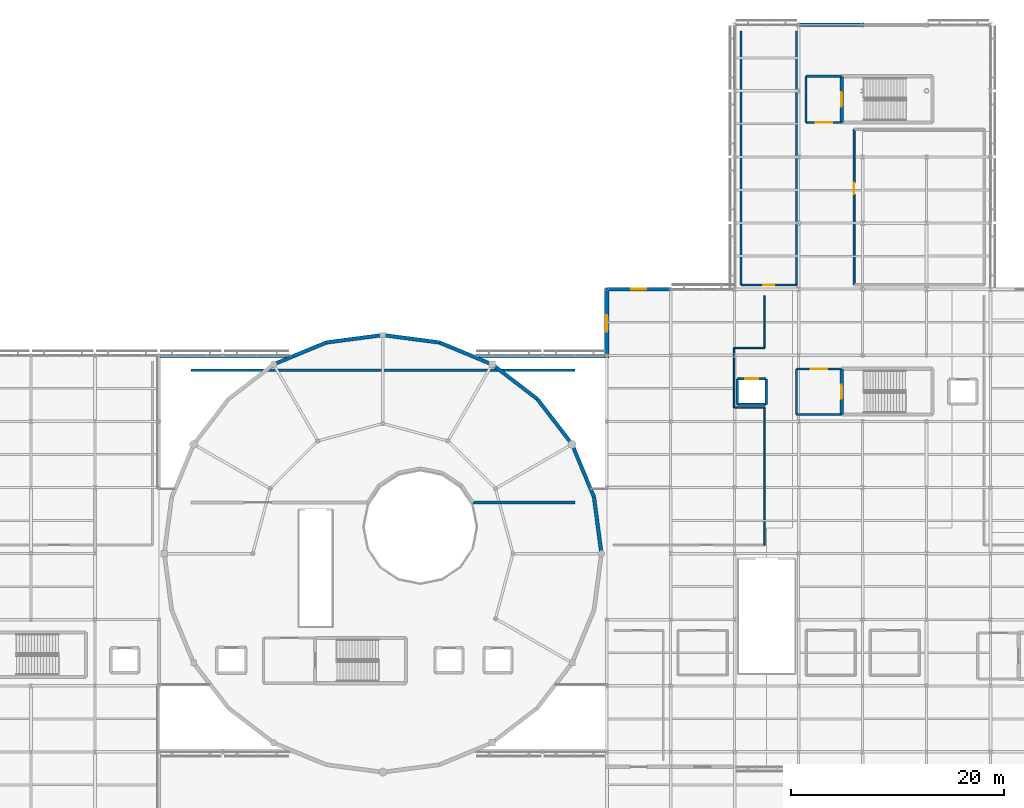
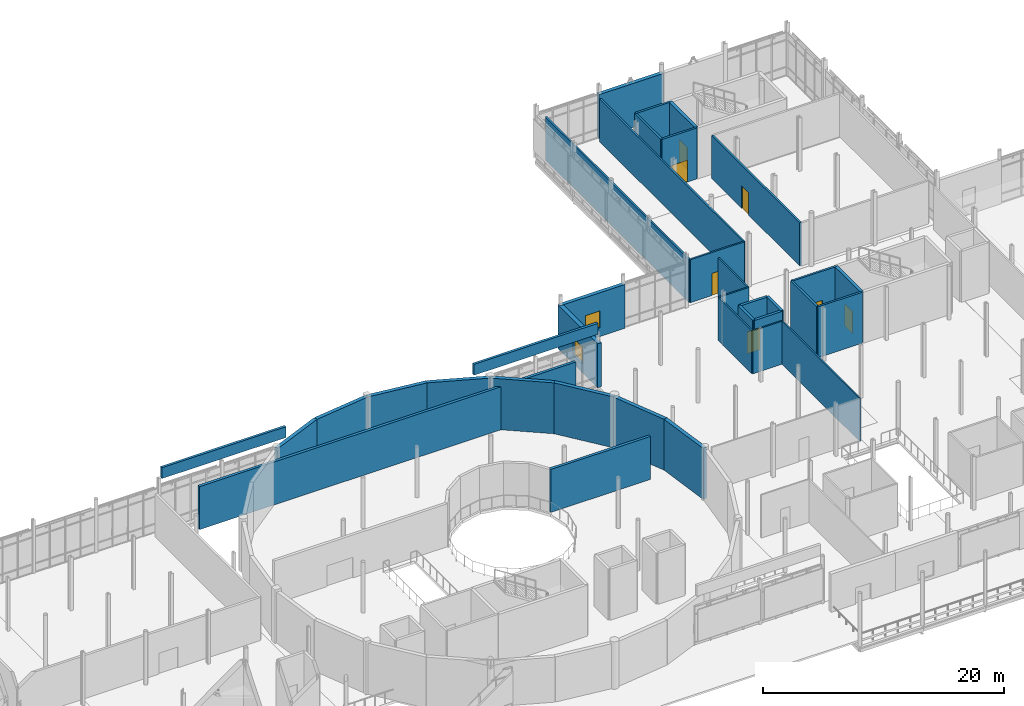
# One storey, part 70 of 105: 36 walls, 7 doors, 2 windows, 9 openings.
"""IFC4 building model written with IfcOpenShell, lengths in metres."""

from ifc_helpers import new_model, si_unit, direction, frame, frame_2d, origin, place, context, subcontext, project, spatial, rectangle, extrude, material, layer, layer_set, type_object, element, fill, save


model = new_model("IFC4")

# Units and contexts
model_context = context("Model", 3, precision=1e-05, world=origin(), true_north=direction((0.0, 1.0)))
body_context = subcontext(model_context, "Body", "Model", "MODEL_VIEW")
ifc_project = project(units=[si_unit("LENGTHUNIT", "METRE"), si_unit("AREAUNIT", "SQUARE_METRE"), si_unit("VOLUMEUNIT", "CUBIC_METRE"), si_unit("PLANEANGLEUNIT", "RADIAN"), si_unit("MASSUNIT", "GRAM", prefix="KILO")], contexts=[model_context])

# Site, building, storey
site_placement = place(None, origin())
site = spatial("IfcSite", under=ifc_project, at=site_placement, CompositionType="ELEMENT")
building_placement = place(site_placement, origin())
building = spatial("IfcBuilding", under=site, at=building_placement, Name="Mirzam Square Science Centre", CompositionType="ELEMENT")
storey_placement = place(building_placement, frame((0.0, 0.0, 5.39990234375)))
storey = spatial("IfcBuildingStorey", under=building, at=storey_placement, Name="L01", CompositionType="ELEMENT", Elevation=5.39990234375)

# Wall, opening, door
ifc_material_1 = material(Name="Concrete C45/55", Category="concrete")
ifc_layer_1 = layer(ifc_material_1, 0.300048828125)
ifc_layer_set_1 = layer_set([ifc_layer_1], Name="W-CORE-300")
wall_type_1 = type_object("IfcWallType", Name="W-CORE-300", PredefinedType="SHEAR", material=ifc_layer_set_1)
wall_1_placement = place(storey_placement, frame((124.0400390625, 79.330078125, 0.0), z_axis=(0.0, 0.0, 1.0), x_axis=(0.0, -1.0, 0.0)))
wall_1 = element("IfcWall", 1, at=wall_1_placement, inside=storey, type_object=wall_type_1, Name="L01 CORE-4 west wall", PredefinedType="SHEAR", context=body_context, shape_type="SweptSolid", body=[
    extrude(rectangle(XDim=4.2900390625, YDim=0.300048828125, at=frame_2d((2.14501953125, 0.0))), origin(), (0.0, 0.0, 1.0), 5.150146484375),
])
opening_1_placement = place(wall_1_placement, frame((1.469970703125, 0.0, 0.0)))
opening_1 = element("IfcOpeningElement", 2, at=opening_1_placement, cuts=wall_1, Name="Opening DS-01", PredefinedType="OPENING", context=body_context, shape_type="SweptSolid", body=[
    extrude(rectangle(XDim=1.35009765625, YDim=2.199951171875, at=frame_2d((0.675048828125, 1.10009765625))), frame((0.0, 0.159912109375, 0.0), z_axis=(0.0, -1.0, 0.0), x_axis=(1.0, 0.0, 0.0)), (0.0, 0.0, 1.0), 0.320068359375),
])
ifc_material_2 = material(Name="Fire-Rated Powder-Coated Architectural Steel Door", Category="steel")
door_type_1 = type_object("IfcDoorType", Name="DR-STAIR-1350x2200", OperationType="NOTDEFINED", PredefinedType="DOOR", material=ifc_material_2)
door_1_placement = place(opening_1_placement, origin())
door_1 = element("IfcDoor", 3, at=door_1_placement, inside=storey, type_object=door_type_1, Name="DRS-4-L01", OperationType="SINGLE_SWING_LEFT", OverallHeight=2.199951171875, OverallWidth=1.35009765625, PredefinedType="DOOR", context=body_context, shape_type="SweptSolid", body=[
    extrude(rectangle(XDim=1.35009765625, YDim=2.199951171875, at=frame_2d((0.675048828125, 1.10009765625))), frame((0.0, 0.02490234375, 0.0), z_axis=(0.0, -1.0, 0.0), x_axis=(1.0, 0.0, 0.0)), (0.0, 0.0, 1.0), 0.050048828125),
])
fill(opening_1, door_1)

wall_2_placement = place(storey_placement, frame((124.0400390625, 106.77001953125, 0.0), z_axis=(0.0, 0.0, 1.0), x_axis=(0.0, -1.0, 0.0)))
wall_2 = element("IfcWall", 4, at=wall_2_placement, inside=storey, type_object=wall_type_1, Name="L01 CORE-7 west wall", PredefinedType="SHEAR", context=body_context, shape_type="SweptSolid", body=[
    extrude(rectangle(XDim=4.330078125, YDim=0.300048828125, at=frame_2d((2.1650390625, 0.0))), origin(), (0.0, 0.0, 1.0), 5.150146484375),
])
opening_2_placement = place(wall_2_placement, frame((1.489990234375, 0.0, 0.0)))
opening_2 = element("IfcOpeningElement", 5, at=opening_2_placement, cuts=wall_2, Name="Opening DS-01", PredefinedType="OPENING", context=body_context, shape_type="SweptSolid", body=[
    extrude(rectangle(XDim=1.35009765625, YDim=2.199951171875, at=frame_2d((0.675048828125, 1.10009765625))), frame((0.0, 0.159912109375, 0.0), z_axis=(0.0, -1.0, 0.0), x_axis=(1.0, 0.0, 0.0)), (0.0, 0.0, 1.0), 0.320068359375),
])
door_2_placement = place(opening_2_placement, origin())
door_2 = element("IfcDoor", 6, at=door_2_placement, inside=storey, type_object=door_type_1, Name="DRS-7-L01", OperationType="SINGLE_SWING_RIGHT", OverallHeight=2.199951171875, OverallWidth=1.35009765625, PredefinedType="DOOR", context=body_context, shape_type="SweptSolid", body=[
    extrude(rectangle(XDim=1.35009765625, YDim=2.199951171875, at=frame_2d((0.675048828125, 1.10009765625))), frame((0.0, 0.02490234375, 0.0), z_axis=(0.0, -1.0, 0.0), x_axis=(1.0, 0.0, 0.0)), (0.0, 0.0, 1.0), 0.050048828125),
])
fill(opening_2, door_2)

# Walls
ifc_layer_2 = layer(ifc_material_1, 0.35009765625)
ifc_layer_set_2 = layer_set([ifc_layer_2], Name="W-DRUM-350")
wall_type_2 = type_object("IfcWallType", Name="W-DRUM-350", PredefinedType="SHEAR", material=ifc_layer_set_2)
wall_3_placement = place(storey_placement, frame((101.5, 62.0, 0.0), z_axis=(0.0, 0.0, 1.0), x_axis=(-0.130517056518, 0.991446064069, 0.0)))
element("IfcWall", 7, at=wall_3_placement, inside=storey, type_object=wall_type_2, Name="L01 planetarium drum wall 01", PredefinedType="SHEAR", context=body_context, shape_type="SweptSolid", body=[
    extrude(rectangle(XDim=5.351806640625, YDim=0.35009765625, at=frame_2d((2.67578125, 0.0))), origin(), (0.0, 0.0, 1.0), 5.150146484375),
])
for number, where, z_axis, x_axis, name in (
    (8, (100.801513671875, 67.305908203125, 0.0), (0.0, 0.0, 1.0), (-0.382713071139, 0.923867255172, 0.0), "L01 planetarium drum wall 02"),
    (9, (98.75341796875, 72.25, 0.0), (0.0, 0.0, 1.0), (-0.60876670321, 0.793349293227, 0.0), "L01 planetarium drum wall 03"),
    (10, (95.49560546875, 76.49560546875, 0.0), (0.0, 0.0, 1.0), (-0.793349293227, 0.60876670321, 0.0), "L01 planetarium drum wall 04"),
    (11, (91.25, 79.75341796875, 0.0), (0.0, 0.0, 1.0), (-0.923867255172, 0.382713071139, 0.0), "L01 planetarium drum wall 05"),
):
    element("IfcWall", number, at=place(storey_placement, frame(where, z_axis=z_axis, x_axis=x_axis)), inside=storey, type_object=wall_type_2, Name=name, PredefinedType="SHEAR", context=body_context, shape_type="SweptSolid", body=[
        extrude(rectangle(XDim=5.3515625, YDim=0.35009765625, at=frame_2d((2.67578125, 0.0))), origin(), (0.0, 0.0, 1.0), 5.150146484375),
    ])
for number, where, z_axis, x_axis, name in (
    (12, (86.305908203125, 81.801513671875, 0.0), (0.0, 0.0, 1.0), (-0.991446064069, 0.130517056518, 0.0), "L01 planetarium drum wall 06"),
    (13, (81.0, 82.5, 0.0), (0.0, 0.0, 1.0), (-0.991446064069, -0.130517056518, 0.0), "L01 planetarium drum wall 07"),
):
    element("IfcWall", number, at=place(storey_placement, frame(where, z_axis=z_axis, x_axis=x_axis)), inside=storey, type_object=wall_type_2, Name=name, PredefinedType="SHEAR", context=body_context, shape_type="SweptSolid", body=[
        extrude(rectangle(XDim=5.351806640625, YDim=0.35009765625, at=frame_2d((2.67578125, 0.0))), origin(), (0.0, 0.0, 1.0), 5.150146484375),
    ])
wall_4_placement = place(storey_placement, frame((75.694091796875, 81.801513671875, 0.0), z_axis=(0.0, 0.0, 1.0), x_axis=(-0.923867255172, -0.382713071139, 0.0)))
element("IfcWall", 14, at=wall_4_placement, inside=storey, type_object=wall_type_2, Name="L01 planetarium drum wall 08", PredefinedType="SHEAR", context=body_context, shape_type="SweptSolid", body=[
    extrude(rectangle(XDim=5.3515625, YDim=0.35009765625, at=frame_2d((2.67578125, 0.0))), origin(), (0.0, 0.0, 1.0), 5.150146484375),
])

# Wall, opening, window
ifc_material_3 = material(Name="Insulated Sand-Toned GFRC Concrete C40/50", Category="concrete")
ifc_layer_3 = layer(ifc_material_3, 0.340087890625)
ifc_layer_set_3 = layer_set([ifc_layer_3], Name="W-EXT-GFRC-340")
wall_type_3 = type_object("IfcWallType", Name="W-EXT-GFRC-340", PredefinedType="SOLIDWALL", material=ifc_layer_set_3)
wall_5_placement = place(storey_placement, frame((108.074951171875, 86.800048828125, 0.0), z_axis=(0.0, 0.0, 1.0), x_axis=(-1.0, 0.0, 0.0)))
wall_5 = element("IfcWall", 15, at=wall_5_placement, inside=storey, type_object=wall_type_3, Name="L01 external wall EW-EST-NW-L01-02", PredefinedType="SOLIDWALL", context=body_context, shape_type="SweptSolid", body=[
    extrude(rectangle(XDim=6.14990234375, YDim=0.340087890625, at=frame_2d((3.074951171875, 0.0))), origin(), (0.0, 0.0, 1.0), 4.440185546875),
])
opening_3_placement = place(wall_5_placement, frame((2.375, 0.0, 0.89990234375)))
opening_3 = element("IfcOpeningElement", 16, at=opening_3_placement, cuts=wall_5, Name="Opening W-25", PredefinedType="OPENING", context=body_context, shape_type="SweptSolid", body=[
    extrude(rectangle(XDim=1.39990234375, YDim=1.699951171875, at=frame_2d((0.699951171875, 0.85009765625))), frame((0.0, 0.179931640625, 0.0), z_axis=(0.0, -1.0, 0.0), x_axis=(1.0, 0.0, 0.0)), (0.0, 0.0, 1.0), 0.360107421875),
])
ifc_material_4 = material(Name="Thermally Broken Bronze Aluminium and Low-E Glass", Category="aluminium")
window_type_1 = type_object("IfcWindowType", Name="WIN-1400x1700", PartitioningType="SINGLE_PANEL", PredefinedType="WINDOW", material=ifc_material_4)
window_1_placement = place(opening_3_placement, origin())
window_1 = element("IfcWindow", 17, at=window_1_placement, inside=storey, type_object=window_type_1, Name="L01 solar window 069", OverallHeight=1.699951171875, OverallWidth=1.39990234375, PartitioningType="SINGLE_PANEL", PredefinedType="WINDOW", context=body_context, shape_type="SweptSolid", body=[
    extrude(rectangle(XDim=1.39990234375, YDim=1.699951171875, at=frame_2d((0.699951171875, 0.85009765625))), frame((0.0, 0.030029296875, 0.0), z_axis=(0.0, -1.0, 0.0), x_axis=(1.0, 0.0, 0.0)), (0.0, 0.0, 1.0), 0.06005859375),
])
fill(opening_3, window_1)

ifc_layer_4 = layer(ifc_material_3, 0.385009765625)
ifc_layer_set_4 = layer_set([ifc_layer_4], Name="W-EXT-GFRC-385")
wall_type_4 = type_object("IfcWallType", Name="W-EXT-GFRC-385", PredefinedType="SOLIDWALL", material=ifc_layer_set_4)
wall_6_placement = place(storey_placement, frame((102.0, 86.875, 0.0), z_axis=(0.0, 0.0, 1.0), x_axis=(0.0, -1.0, 0.0)))
wall_6 = element("IfcWall", 18, at=wall_6_placement, inside=storey, type_object=wall_type_4, Name="L01 external wall EW-EST-W-L01-01", PredefinedType="SOLIDWALL", context=body_context, shape_type="SweptSolid", body=[
    extrude(rectangle(XDim=6.550048828125, YDim=0.385009765625, at=frame_2d((3.27490234375, 0.0))), origin(), (0.0, 0.0, 1.0), 4.440185546875),
])
opening_4_placement = place(wall_6_placement, frame((2.5, 0.0, 0.89990234375)))
opening_4 = element("IfcOpeningElement", 19, at=opening_4_placement, cuts=wall_6, Name="Opening W-26", PredefinedType="OPENING", context=body_context, shape_type="SweptSolid", body=[
    extrude(rectangle(XDim=1.550048828125, YDim=1.699951171875, at=frame_2d((0.77490234375, 0.85009765625))), frame((0.0, 0.202392578125, 0.0), z_axis=(0.0, -1.0, 0.0), x_axis=(1.0, 0.0, 0.0)), (0.0, 0.0, 1.0), 0.405029296875),
])
window_type_2 = type_object("IfcWindowType", Name="WIN-1550x1700", PartitioningType="SINGLE_PANEL", PredefinedType="WINDOW", material=ifc_material_4)
window_2_placement = place(opening_4_placement, origin())
window_2 = element("IfcWindow", 20, at=window_2_placement, inside=storey, type_object=window_type_2, Name="L01 solar window 070", OverallHeight=1.699951171875, OverallWidth=1.550048828125, PartitioningType="SINGLE_PANEL", PredefinedType="WINDOW", context=body_context, shape_type="SweptSolid", body=[
    extrude(rectangle(XDim=1.550048828125, YDim=1.699951171875, at=frame_2d((0.77490234375, 0.85009765625))), frame((0.0, 0.030029296875, 0.0), z_axis=(0.0, -1.0, 0.0), x_axis=(1.0, 0.0, 0.0)), (0.0, 0.0, 1.0), 0.06005859375),
])
fill(opening_4, window_2)

# Walls
ifc_material_5 = material(Name="Standing-Seam Zinc-Clad Concrete Backup C40/50", Category="concrete")
ifc_layer_5 = layer(ifc_material_5, 0.35009765625)
ifc_layer_set_5 = layer_set([ifc_layer_5], Name="W-EXT-METAL-350")
wall_type_5 = type_object("IfcWallType", Name="W-EXT-METAL-350", PredefinedType="SOLIDWALL", material=ifc_layer_set_5)
wall_7_placement = place(storey_placement, frame((126.074951171875, 111.60009765625, 0.0), z_axis=(0.0, 0.0, 1.0), x_axis=(-1.0, 0.0, 0.0)))
element("IfcWall", 21, at=wall_7_placement, inside=storey, type_object=wall_type_5, Name="L01 external wall EW-NEP-N-L01-21", PredefinedType="SOLIDWALL", context=body_context, shape_type="SweptSolid", body=[
    extrude(rectangle(XDim=6.14990234375, YDim=0.35009765625, at=frame_2d((3.074951171875, 0.0))), origin(), (0.0, 0.0, 1.0), 4.440185546875),
])
ifc_layer_6 = layer(ifc_material_1, 0.199951171875)
ifc_layer_set_6 = layer_set([ifc_layer_6], Name="W-LOBBY-200")
wall_type_6 = type_object("IfcWallType", Name="W-LOBBY-200", PredefinedType="SHEAR", material=ifc_layer_set_6)
wall_8_placement = place(storey_placement, frame((119.800048828125, 75.0400390625, 0.0), z_axis=(0.0, 0.0, 1.0), x_axis=(1.0, 0.0, 0.0)))
element("IfcWall", 22, at=wall_8_placement, inside=storey, type_object=wall_type_6, Name="L01 CORE-4 lobby south wall", PredefinedType="SHEAR", context=body_context, shape_type="SweptSolid", body=[
    extrude(rectangle(XDim=4.239990234375, YDim=0.199951171875, at=frame_2d((2.1201171875, 0.0))), origin(), (0.0, 0.0, 1.0), 5.150146484375),
])

# Wall, opening, door
wall_9_placement = place(storey_placement, frame((124.0400390625, 79.330078125, 0.0), z_axis=(0.0, 0.0, 1.0), x_axis=(-1.0, 0.0, 0.0)))
wall_9 = element("IfcWall", 23, at=wall_9_placement, inside=storey, type_object=wall_type_6, Name="L01 CORE-4 lobby north wall", PredefinedType="SHEAR", context=body_context, shape_type="SweptSolid", body=[
    extrude(rectangle(XDim=4.239990234375, YDim=0.199951171875, at=frame_2d((2.1201171875, 0.0))), origin(), (0.0, 0.0, 1.0), 5.150146484375),
])
opening_5_placement = place(wall_9_placement, frame((1.344970703125, 0.0, 0.0)))
opening_5 = element("IfcOpeningElement", 24, at=opening_5_placement, cuts=wall_9, Name="Opening DL-01", PredefinedType="OPENING", context=body_context, shape_type="SweptSolid", body=[
    extrude(rectangle(XDim=1.550048828125, YDim=2.199951171875, at=frame_2d((0.77490234375, 1.10009765625))), frame((0.0, 0.10986328125, 0.0), z_axis=(0.0, -1.0, 0.0), x_axis=(1.0, 0.0, 0.0)), (0.0, 0.0, 1.0), 0.219970703125),
])
ifc_material_6 = material(Name="Fire-Rated Glazed Architectural Steel Lobby Door", Category="steel")
door_type_2 = type_object("IfcDoorType", Name="DR-LOBBY-1550x2200", OperationType="DOUBLE_DOOR_SINGLE_SWING", PredefinedType="DOOR", material=ifc_material_6)
door_3_placement = place(opening_5_placement, origin())
door_3 = element("IfcDoor", 25, at=door_3_placement, inside=storey, type_object=door_type_2, Name="DRL-4-L01", OperationType="SINGLE_SWING_LEFT", OverallHeight=2.199951171875, OverallWidth=1.550048828125, PredefinedType="DOOR", context=body_context, shape_type="SweptSolid", body=[
    extrude(rectangle(XDim=1.550048828125, YDim=2.199951171875, at=frame_2d((0.77490234375, 1.10009765625))), frame((0.0, 0.02490234375, 0.0), z_axis=(0.0, -1.0, 0.0), x_axis=(1.0, 0.0, 0.0)), (0.0, 0.0, 1.0), 0.050048828125),
])
fill(opening_5, door_3)

# Wall
wall_10_placement = place(storey_placement, frame((119.800048828125, 79.330078125, 0.0), z_axis=(0.0, 0.0, 1.0), x_axis=(0.0, -1.0, 0.0)))
element("IfcWall", 26, at=wall_10_placement, inside=storey, type_object=wall_type_6, Name="L01 CORE-4 lobby west wall", PredefinedType="SHEAR", context=body_context, shape_type="SweptSolid", body=[
    extrude(rectangle(XDim=4.2900390625, YDim=0.199951171875, at=frame_2d((2.14501953125, 0.0))), origin(), (0.0, 0.0, 1.0), 5.150146484375),
])

# Wall, opening, door
wall_11_placement = place(storey_placement, frame((120.699951171875, 102.43994140625, 0.0), z_axis=(0.0, 0.0, 1.0), x_axis=(1.0, 0.0, 0.0)))
wall_11 = element("IfcWall", 27, at=wall_11_placement, inside=storey, type_object=wall_type_6, Name="L01 CORE-7 lobby south wall", PredefinedType="SHEAR", context=body_context, shape_type="SweptSolid", body=[
    extrude(rectangle(XDim=3.340087890625, YDim=0.199951171875, at=frame_2d((1.669921875, 0.0))), origin(), (0.0, 0.0, 1.0), 5.150146484375),
])
opening_6_placement = place(wall_11_placement, frame((0.89501953125, 0.0, 0.0)))
opening_6 = element("IfcOpeningElement", 28, at=opening_6_placement, cuts=wall_11, Name="Opening DL-01", PredefinedType="OPENING", context=body_context, shape_type="SweptSolid", body=[
    extrude(rectangle(XDim=1.550048828125, YDim=2.199951171875, at=frame_2d((0.77490234375, 1.10009765625))), frame((0.0, 0.10986328125, 0.0), z_axis=(0.0, -1.0, 0.0), x_axis=(1.0, 0.0, 0.0)), (0.0, 0.0, 1.0), 0.219970703125),
])
door_4_placement = place(opening_6_placement, origin())
door_4 = element("IfcDoor", 29, at=door_4_placement, inside=storey, type_object=door_type_2, Name="DRL-7-L01", OperationType="SINGLE_SWING_LEFT", OverallHeight=2.199951171875, OverallWidth=1.550048828125, PredefinedType="DOOR", context=body_context, shape_type="SweptSolid", body=[
    extrude(rectangle(XDim=1.550048828125, YDim=2.199951171875, at=frame_2d((0.77490234375, 1.10009765625))), frame((0.0, 0.02490234375, 0.0), z_axis=(0.0, -1.0, 0.0), x_axis=(1.0, 0.0, 0.0)), (0.0, 0.0, 1.0), 0.050048828125),
])
fill(opening_6, door_4)

# Walls
wall_12_placement = place(storey_placement, frame((124.0400390625, 106.77001953125, 0.0), z_axis=(0.0, 0.0, 1.0), x_axis=(-1.0, 0.0, 0.0)))
element("IfcWall", 30, at=wall_12_placement, inside=storey, type_object=wall_type_6, Name="L01 CORE-7 lobby north wall", PredefinedType="SHEAR", context=body_context, shape_type="SweptSolid", body=[
    extrude(rectangle(XDim=3.340087890625, YDim=0.199951171875, at=frame_2d((1.669921875, 0.0))), origin(), (0.0, 0.0, 1.0), 5.150146484375),
])
wall_13_placement = place(storey_placement, frame((120.699951171875, 106.77001953125, 0.0), z_axis=(0.0, 0.0, 1.0), x_axis=(0.0, -1.0, 0.0)))
element("IfcWall", 31, at=wall_13_placement, inside=storey, type_object=wall_type_6, Name="L01 CORE-7 lobby west wall", PredefinedType="SHEAR", context=body_context, shape_type="SweptSolid", body=[
    extrude(rectangle(XDim=4.330078125, YDim=0.199951171875, at=frame_2d((2.1650390625, 0.0))), origin(), (0.0, 0.0, 1.0), 5.150146484375),
])
ifc_material_7 = material(Name="Limestone Coping Parapet Concrete C40/50", Category="masonry")
ifc_layer_7 = layer(ifc_material_7, 0.239990234375)
ifc_layer_set_7 = layer_set([ifc_layer_7], Name="W-PARAPET-240")
wall_type_7 = type_object("IfcWallType", Name="W-PARAPET-240", PredefinedType="PARAPET", material=ifc_layer_set_7)
for number, where, z_axis, x_axis, name in (
    (32, (60.14990234375, 80.449951171875, 5.400146484375), (0.0, 0.0, 1.0), (1.0, 0.0, 0.0), "Central link roof N parapet LNK-W"),
    (33, (90.0, 80.449951171875, 5.400146484375), (0.0, 0.0, 1.0), (1.0, 0.0, 0.0), "Central link roof N parapet LNK-E"),
):
    element("IfcWall", number, at=place(storey_placement, frame(where, z_axis=z_axis, x_axis=x_axis)), inside=storey, type_object=wall_type_7, Name=name, PredefinedType="PARAPET", context=body_context, shape_type="SweptSolid", body=[
        extrude(rectangle(XDim=11.85009765625, YDim=0.239990234375, at=frame_2d((5.925048828125, 0.0))), origin(), (0.0, 0.0, 1.0), 1.099853515625),
    ])
ifc_material_8 = material(Name="Double-Board Gypsum Partition", Category="gypsum")
ifc_layer_8 = layer(ifc_material_8, 0.135009765625)
ifc_layer_set_8 = layer_set([ifc_layer_8], Name="W-PART-135")
wall_type_8 = type_object("IfcWallType", Name="W-PART-135", PredefinedType="PARTITIONING", material=ifc_layer_set_8)
wall_14_placement = place(storey_placement, frame((116.800048828125, 86.199951171875, 0.0), z_axis=(0.0, 0.0, 1.0), x_axis=(0.0, -1.0, 0.0)))
element("IfcWall", 34, at=wall_14_placement, inside=storey, type_object=wall_type_8, Name="L01 School Environmental Science Workshop 4 partition 137", PredefinedType="PARTITIONING", context=body_context, shape_type="SweptSolid", body=[
    extrude(rectangle(XDim=4.89990234375, YDim=0.135009765625, at=frame_2d((2.449951171875, 0.0))), origin(), (0.0, 0.0, 1.0), 4.35009765625),
])
wall_15_placement = place(storey_placement, frame((116.800048828125, 81.300048828125, 0.0), z_axis=(0.0, 0.0, 1.0), x_axis=(-1.0, 0.0, 0.0)))
element("IfcWall", 35, at=wall_15_placement, inside=storey, type_object=wall_type_8, Name="L01 School Environmental Science Workshop 4 partition 138", PredefinedType="PARTITIONING", context=body_context, shape_type="SweptSolid", body=[
    extrude(rectangle(XDim=2.85009765625, YDim=0.135009765625, at=frame_2d((1.425048828125, 0.0))), origin(), (0.0, 0.0, 1.0), 4.35009765625),
])
wall_16_placement = place(storey_placement, frame((113.949951171875, 81.300048828125, 0.0), z_axis=(0.0, 0.0, 1.0), x_axis=(0.0, -1.0, 0.0)))
element("IfcWall", 36, at=wall_16_placement, inside=storey, type_object=wall_type_8, Name="L01 School Environmental Science Workshop 4 partition 139", PredefinedType="PARTITIONING", context=body_context, shape_type="SweptSolid", body=[
    extrude(rectangle(XDim=5.60009765625, YDim=0.135009765625, at=frame_2d((2.800048828125, 0.0))), origin(), (0.0, 0.0, 1.0), 4.35009765625),
])
wall_17_placement = place(storey_placement, frame((113.949951171875, 75.699951171875, 0.0), z_axis=(0.0, 0.0, 1.0), x_axis=(1.0, 0.0, 0.0)))
element("IfcWall", 37, at=wall_17_placement, inside=storey, type_object=wall_type_8, Name="L01 School Environmental Science Workshop 4 partition 140", PredefinedType="PARTITIONING", context=body_context, shape_type="SweptSolid", body=[
    extrude(rectangle(XDim=2.85009765625, YDim=0.135009765625, at=frame_2d((1.425048828125, 0.0))), origin(), (0.0, 0.0, 1.0), 4.35009765625),
])
wall_18_placement = place(storey_placement, frame((116.800048828125, 75.699951171875, 0.0), z_axis=(0.0, 0.0, 1.0), x_axis=(0.0, -1.0, 0.0)))
element("IfcWall", 38, at=wall_18_placement, inside=storey, type_object=wall_type_8, Name="L01 School Environmental Science Workshop 4 partition 141", PredefinedType="PARTITIONING", context=body_context, shape_type="SweptSolid", body=[
    extrude(rectangle(XDim=12.89990234375, YDim=0.135009765625, at=frame_2d((6.449951171875, 0.0))), origin(), (0.0, 0.0, 1.0), 4.35009765625),
])
ifc_material_9 = material(Name="Wet-Area Moisture-Resistant Partition", Category="gypsum")
ifc_layer_9 = layer(ifc_material_9, 0.1650390625)
ifc_layer_set_9 = layer_set([ifc_layer_9], Name="W-PART-165")
wall_type_9 = type_object("IfcWallType", Name="W-PART-165", PredefinedType="PARTITIONING", material=ifc_layer_set_9)
wall_19_placement = place(storey_placement, frame((119.800048828125, 111.0, 0.0), z_axis=(0.0, 0.0, 1.0), x_axis=(0.0, -1.0, 0.0)))
element("IfcWall", 39, at=wall_19_placement, inside=storey, type_object=wall_type_9, Name="L01 STEM Teachers Seminar Room partition 144", PredefinedType="PARTITIONING", context=body_context, shape_type="SweptSolid", body=[
    extrude(rectangle(XDim=23.800048828125, YDim=0.1650390625, at=frame_2d((11.89990234375, 0.0))), origin(), (0.0, 0.0, 1.0), 4.35009765625),
])

# Wall, opening, door
wall_20_placement = place(storey_placement, frame((119.800048828125, 87.199951171875, 0.0), z_axis=(0.0, 0.0, 1.0), x_axis=(-1.0, 0.0, 0.0)))
wall_20 = element("IfcWall", 40, at=wall_20_placement, inside=storey, type_object=wall_type_9, Name="L01 STEM Teachers Seminar Room partition 145", PredefinedType="PARTITIONING", context=body_context, shape_type="SweptSolid", body=[
    extrude(rectangle(XDim=5.199951171875, YDim=0.1650390625, at=frame_2d((2.60009765625, 0.0))), origin(), (0.0, 0.0, 1.0), 4.35009765625),
])
opening_7_placement = place(wall_20_placement, frame((2.074951171875, 0.0, 0.0)))
opening_7 = element("IfcOpeningElement", 41, at=opening_7_placement, cuts=wall_20, Name="Opening D-16", PredefinedType="OPENING", context=body_context, shape_type="SweptSolid", body=[
    extrude(rectangle(XDim=1.050048828125, YDim=2.25, at=frame_2d((0.52490234375, 1.125))), frame((0.0, 0.092529296875, 0.0), z_axis=(0.0, -1.0, 0.0), x_axis=(1.0, 0.0, 0.0)), (0.0, 0.0, 1.0), 0.18505859375),
])
ifc_material_10 = material(Name="Solid Core Acoustic Oak Timber Door", Category="wood")
door_type_3 = type_object("IfcDoorType", Name="DR-INT-1050x2250", OperationType="NOTDEFINED", PredefinedType="DOOR", material=ifc_material_10)
door_5_placement = place(opening_7_placement, origin())
door_5 = element("IfcDoor", 42, at=door_5_placement, inside=storey, type_object=door_type_3, Name="ID-L01-0039", OperationType="SINGLE_SWING_RIGHT", OverallHeight=2.25, OverallWidth=1.050048828125, PredefinedType="DOOR", context=body_context, shape_type="SweptSolid", body=[
    extrude(rectangle(XDim=1.050048828125, YDim=2.25, at=frame_2d((0.52490234375, 1.125))), frame((0.0, 0.02490234375, 0.0), z_axis=(0.0, -1.0, 0.0), x_axis=(1.0, 0.0, 0.0)), (0.0, 0.0, 1.0), 0.050048828125),
])
fill(opening_7, door_5)

# Wall
wall_21_placement = place(storey_placement, frame((114.60009765625, 87.199951171875, 0.0), z_axis=(0.0, 0.0, 1.0), x_axis=(0.0, 1.0, 0.0)))
element("IfcWall", 43, at=wall_21_placement, inside=storey, type_object=wall_type_9, Name="L01 STEM Teachers Seminar Room partition 146", PredefinedType="PARTITIONING", context=body_context, shape_type="SweptSolid", body=[
    extrude(rectangle(XDim=23.800048828125, YDim=0.1650390625, at=frame_2d((11.89990234375, 0.0))), origin(), (0.0, 0.0, 1.0), 4.35009765625),
])

# Wall, opening, door
ifc_material_11 = material(Name="Workshop Acoustic Masonry Partition", Category="masonry")
ifc_layer_10 = layer(ifc_material_11, 0.179931640625)
ifc_layer_set_10 = layer_set([ifc_layer_10], Name="W-PART-180")
wall_type_10 = type_object("IfcWallType", Name="W-PART-180", PredefinedType="PARTITIONING", material=ifc_layer_set_10)
wall_22_placement = place(storey_placement, frame((125.199951171875, 87.199951171875, 0.0), z_axis=(0.0, 0.0, 1.0), x_axis=(0.0, 1.0, 0.0)))
wall_22 = element("IfcWall", 44, at=wall_22_placement, inside=storey, type_object=wall_type_10, Name="L01 Educational Curriculum Design Studio partition 150", PredefinedType="PARTITIONING", context=body_context, shape_type="SweptSolid", body=[
    extrude(rectangle(XDim=14.60009765625, YDim=0.179931640625, at=frame_2d((7.300048828125, 0.0))), origin(), (0.0, 0.0, 1.0), 4.35009765625),
])
opening_8_placement = place(wall_22_placement, frame((8.501953125, 0.0, 0.0)))
opening_8 = element("IfcOpeningElement", 45, at=opening_8_placement, cuts=wall_22, Name="Opening D-17", PredefinedType="OPENING", context=body_context, shape_type="SweptSolid", body=[
    extrude(rectangle(XDim=1.10009765625, YDim=2.25, at=frame_2d((0.550048828125, 1.125))), frame((0.0, 0.099853515625, 0.0), z_axis=(0.0, -1.0, 0.0), x_axis=(1.0, 0.0, 0.0)), (0.0, 0.0, 1.0), 0.199951171875),
])
door_type_4 = type_object("IfcDoorType", Name="DR-INT-1100x2250", OperationType="NOTDEFINED", PredefinedType="DOOR", material=ifc_material_10)
door_6_placement = place(opening_8_placement, origin())
door_6 = element("IfcDoor", 46, at=door_6_placement, inside=storey, type_object=door_type_4, Name="ID-L01-0040", OperationType="SINGLE_SWING_LEFT", OverallHeight=2.25, OverallWidth=1.10009765625, PredefinedType="DOOR", context=body_context, shape_type="SweptSolid", body=[
    extrude(rectangle(XDim=1.10009765625, YDim=2.25, at=frame_2d((0.550048828125, 1.125))), frame((0.0, 0.02490234375, 0.0), z_axis=(0.0, -1.0, 0.0), x_axis=(1.0, 0.0, 0.0)), (0.0, 0.0, 1.0), 0.050048828125),
])
fill(opening_8, door_6)

# Walls
ifc_material_12 = material(Name="Theatre Acoustic Isolation Wall Concrete C35/45", Category="concrete")
ifc_layer_11 = layer(ifc_material_12, 0.260009765625)
ifc_layer_set_11 = layer_set([ifc_layer_11], Name="W-PART-260")
wall_type_11 = type_object("IfcWallType", Name="W-PART-260", PredefinedType="PARTITIONING", material=ifc_layer_set_11)
wall_23_placement = place(storey_placement, frame((63.0, 79.199951171875, 0.0), z_axis=(0.0, 0.0, 1.0), x_axis=(1.0, 0.0, 0.0)))
element("IfcWall", 47, at=wall_23_placement, inside=storey, type_object=wall_type_11, Name="L01 Planetarium Pre-Show Exhibition Gallery partition 125", PredefinedType="PARTITIONING", context=body_context, shape_type="SweptSolid", body=[
    extrude(rectangle(XDim=36.0, YDim=0.260009765625, at=frame_2d((18.0, 0.0))), origin(), (0.0, 0.0, 1.0), 4.35009765625),
])
wall_24_placement = place(storey_placement, frame((99.0, 66.800048828125, 0.0), z_axis=(0.0, 0.0, 1.0), x_axis=(-1.0, 0.0, 0.0)))
element("IfcWall", 48, at=wall_24_placement, inside=storey, type_object=wall_type_11, Name="L01 Planetarium Pre-Show Exhibition Gallery partition 126", PredefinedType="PARTITIONING", context=body_context, shape_type="SweptSolid", body=[
    extrude(rectangle(XDim=9.549072265625, YDim=0.260009765625, at=frame_2d((4.7744140625, 0.0))), origin(), (0.0, 0.0, 1.0), 4.35009765625),
])
ifc_layer_12 = layer(ifc_material_1, 0.25)
ifc_layer_set_12 = layer_set([ifc_layer_12], Name="W-SHAFT-250")
wall_type_12 = type_object("IfcWallType", Name="W-SHAFT-250", PredefinedType="SHEAR", material=ifc_layer_set_12)
wall_25_placement = place(storey_placement, frame((114.25, 76.0, 0.0), z_axis=(0.0, 0.0, 1.0), x_axis=(1.0, 0.0, 0.0)))
element("IfcWall", 49, at=wall_25_placement, inside=storey, type_object=wall_type_12, Name="L01 lift LF-02 shaft wall S", PredefinedType="SHEAR", context=body_context, shape_type="SweptSolid", body=[
    extrude(rectangle(XDim=2.699951171875, YDim=0.25, at=frame_2d((1.35009765625, 0.0))), origin(), (0.0, 0.0, 1.0), 5.150146484375),
])

# Wall, opening, door
wall_26_placement = place(storey_placement, frame((116.949951171875, 78.39990234375, 0.0), z_axis=(0.0, 0.0, 1.0), x_axis=(-1.0, 0.0, 0.0)))
wall_26 = element("IfcWall", 50, at=wall_26_placement, inside=storey, type_object=wall_type_12, Name="L01 lift LF-02 shaft wall N", PredefinedType="SHEAR", context=body_context, shape_type="SweptSolid", body=[
    extrude(rectangle(XDim=2.699951171875, YDim=0.25, at=frame_2d((1.35009765625, 0.0))), origin(), (0.0, 0.0, 1.0), 5.150146484375),
])
opening_9_placement = place(wall_26_placement, frame((0.75, 0.0, 0.0)))
opening_9 = element("IfcOpeningElement", 51, at=opening_9_placement, cuts=wall_26, Name="Opening LD-02", PredefinedType="OPENING", context=body_context, shape_type="SweptSolid", body=[
    extrude(rectangle(XDim=1.199951171875, YDim=2.199951171875, at=frame_2d((0.60009765625, 1.10009765625))), frame((0.0, 0.135009765625, 0.0), z_axis=(0.0, -1.0, 0.0), x_axis=(1.0, 0.0, 0.0)), (0.0, 0.0, 1.0), 0.27001953125),
])
ifc_material_13 = material(Name="Firefighting Brushed Stainless Steel 316L Sliding Door", Category="steel")
door_type_5 = type_object("IfcDoorType", Name="LD-FIRE-1200x2200", OperationType="DOUBLE_DOOR_SLIDING", PredefinedType="DOOR", material=ifc_material_13)
door_7_placement = place(opening_9_placement, origin())
door_7 = element("IfcDoor", 52, at=door_7_placement, inside=storey, type_object=door_type_5, Name="LD-LF-02-L01", OperationType="DOUBLE_DOOR_SLIDING", OverallHeight=2.199951171875, OverallWidth=1.199951171875, PredefinedType="DOOR", context=body_context, shape_type="SweptSolid", body=[
    extrude(rectangle(XDim=1.199951171875, YDim=2.199951171875, at=frame_2d((0.60009765625, 1.10009765625))), frame((0.0, 0.02490234375, 0.0), z_axis=(0.0, -1.0, 0.0), x_axis=(1.0, 0.0, 0.0)), (0.0, 0.0, 1.0), 0.050048828125),
])
fill(opening_9, door_7)

# Walls
for number, where, z_axis, x_axis, name in (
    (53, (114.25, 78.39990234375, 0.0), (0.0, 0.0, 1.0), (0.0, -1.0, 0.0), "L01 lift LF-02 shaft wall W"),
    (54, (116.949951171875, 76.0, 0.0), (0.0, 0.0, 1.0), (0.0, 1.0, 0.0), "L01 lift LF-02 shaft wall E"),
):
    element("IfcWall", number, at=place(storey_placement, frame(where, z_axis=z_axis, x_axis=x_axis)), inside=storey, type_object=wall_type_12, Name=name, PredefinedType="SHEAR", context=body_context, shape_type="SweptSolid", body=[
        extrude(rectangle(XDim=2.39990234375, YDim=0.25, at=frame_2d((1.199951171875, 0.0))), origin(), (0.0, 0.0, 1.0), 5.150146484375),
    ])

save(model, "model.ifc")
